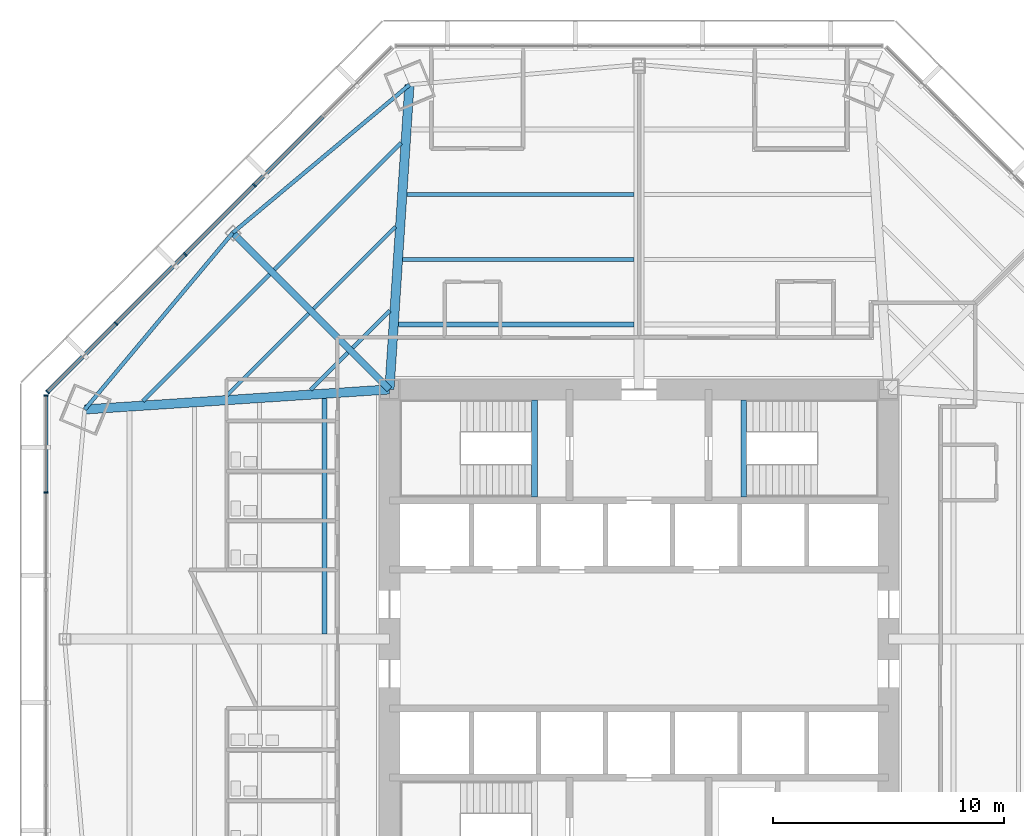
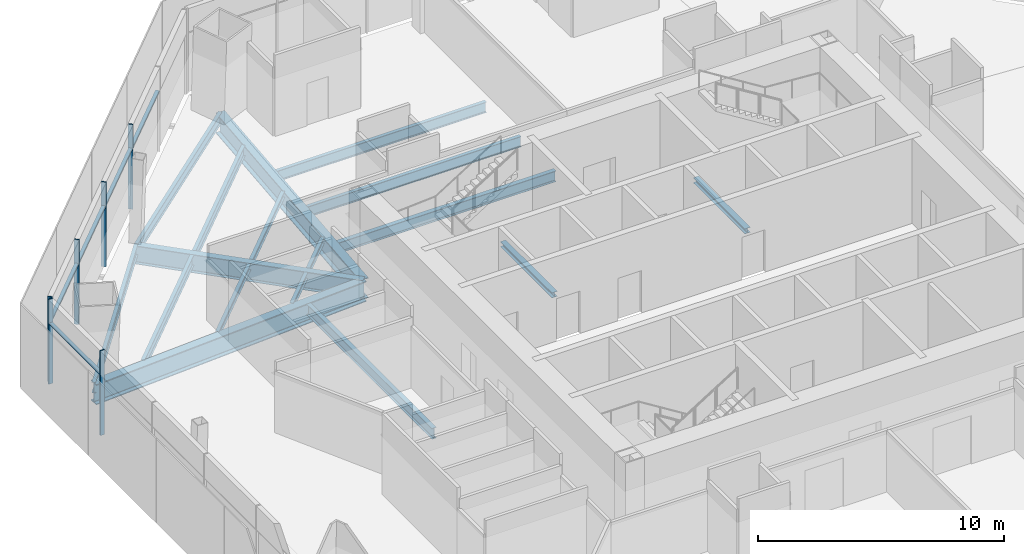
# One storey, part 6 of 18: 17 beams, 11 members, 2 elements without a shape of their own.
"""IFC4 building model written with IfcOpenShell, lengths in metres."""

from ifc_helpers import new_model, si_unit, direction, frame, origin, origin_2d, place, context, subcontext, project, spatial, rectangle, i_section, extrude, source, transform, mapped, material, material_profile, profile_set, type_object, type_shapes, element, aggregate, save


model = new_model("IFC4")

# Units and contexts
model_context = context("Model", 3, precision=1e-05, world=origin(), true_north=direction((0.0, 1.0)))
body_context = subcontext(model_context, "Body", "Model", "MODEL_VIEW")
ifc_project = project(units=[si_unit("LENGTHUNIT", "METRE"), si_unit("AREAUNIT", "SQUARE_METRE"), si_unit("VOLUMEUNIT", "CUBIC_METRE"), si_unit("PLANEANGLEUNIT", "RADIAN"), si_unit("MASSUNIT", "GRAM", prefix="KILO")], contexts=[model_context])

# Site, building, storey
site_placement = place(None, origin())
site = spatial("IfcSite", under=ifc_project, at=site_placement, CompositionType="ELEMENT")
building_placement = place(site_placement, origin())
building = spatial("IfcBuilding", under=site, at=building_placement, Name="Mashrafa Tower", CompositionType="ELEMENT")
storey_placement = place(building_placement, frame((0.0, 0.0, 83.39990234375)))
storey = spatial("IfcBuildingStorey", under=building, at=storey_placement, Name="L18", CompositionType="ELEMENT", Elevation=83.39990234375)

# Beams
ifc_material_1 = material(Name="Steel ASTM A992", Category="steel")
ifc_material_profile_1 = material_profile(ifc_material_1, i_section(OverallWidth=0.164794921875, OverallDepth=0.309814453125, WebThickness=0.005859375, FlangeThickness=0.009765625, FilletRadius=0.007568359375, at=origin_2d()), Name="W12X26")
ifc_profile_set_1 = profile_set([ifc_material_profile_1], Name="Steel ASTM A992")
beam_type_1 = type_object("IfcBeamType", Name="Beam W12X26", PredefinedType="BEAM", material=ifc_profile_set_1)
beam_1_placement = place(storey_placement, frame((-17.840576171875, 10.538330078125, -0.31982421875), z_axis=(0.707131141079, 0.707082420455, 0.0), x_axis=(-0.707082420455, 0.707131141079, 0.0)))
element("IfcBeam", 1, at=beam_1_placement, inside=storey, type_object=beam_type_1, Name="Floor beam L18 006", PredefinedType="BEAM", context=body_context, shape_type="SweptSolid", body=[
    extrude(i_section(OverallWidth=0.164794921875, OverallDepth=0.309814453125, WebThickness=0.005859375, FlangeThickness=0.009765625, FilletRadius=0.007568359375, at=origin_2d()), origin(), (0.0, 0.0, 1.0), 5.010986328125),
])
beam_2_placement = place(storey_placement, frame((-14.212646484375, 10.77685546875, -0.31982421875), z_axis=(0.707106781187, 0.707106781187, 0.0), x_axis=(-0.707106781187, 0.707106781187, 0.0)))
element("IfcBeam", 2, at=beam_2_placement, inside=storey, type_object=beam_type_1, Name="Floor beam L18 011", PredefinedType="BEAM", context=body_context, shape_type="SweptSolid", body=[
    extrude(i_section(OverallWidth=0.164794921875, OverallDepth=0.309814453125, WebThickness=0.005859375, FlangeThickness=0.009765625, FilletRadius=0.007568359375, at=origin_2d()), origin(), (0.0, 0.0, 1.0), 2.277099609375),
])
beam_3_placement = place(storey_placement, frame((-14.08154296875, 14.297119140625, -0.31982421875), z_axis=(0.707082420455, 0.707131141079, 0.0), x_axis=(-0.707131141079, 0.707082420455, 0.0)))
element("IfcBeam", 3, at=beam_3_placement, inside=storey, type_object=beam_type_1, Name="Floor beam L18 013", PredefinedType="BEAM", context=body_context, shape_type="SweptSolid", body=[
    extrude(i_section(OverallWidth=0.164794921875, OverallDepth=0.309814453125, WebThickness=0.005859375, FlangeThickness=0.009765625, FilletRadius=0.007568359375, at=origin_2d()), origin(), (0.0, 0.0, 1.0), 5.010986328125),
])
beam_4_placement = place(storey_placement, frame((-12.386962890625, 12.6025390625, -0.31982421875), z_axis=(0.707106781187, 0.707106781187, 0.0), x_axis=(-0.707106781187, 0.707106781187, 0.0)))
element("IfcBeam", 4, at=beam_4_placement, inside=storey, type_object=beam_type_1, Name="Floor beam L18 017", PredefinedType="BEAM", context=body_context, shape_type="SweptSolid", body=[
    extrude(i_section(OverallWidth=0.164794921875, OverallDepth=0.309814453125, WebThickness=0.005859375, FlangeThickness=0.009765625, FilletRadius=0.007568359375, at=origin_2d()), origin(), (0.0, 0.0, 1.0), 2.277099609375),
])
ifc_material_2 = material(Name="Steel ASTM A992", Category="steel")
ifc_material_profile_2 = material_profile(ifc_material_2, i_section(OverallWidth=0.165771484375, OverallDepth=0.5283203125, WebThickness=0.009765625, FlangeThickness=0.013671875, FilletRadius=0.012939453125, at=origin_2d()), Name="W21X50")
ifc_profile_set_2 = profile_set([ifc_material_profile_2], Name="Steel ASTM A992")
beam_type_2 = type_object("IfcBeamType", Name="Beam W21X50", PredefinedType="BEAM", material=ifc_profile_set_2)
for number, where, z_axis, x_axis, name in (
    (5, (-21.46826171875, 10.2998046875, -0.428955078125), (0.707091019542, 0.70712254248, 0.0), (-0.70712254248, 0.707091019542, 0.0), "Floor beam L18 003"),
    (6, (-15.7763671875, 15.991943359375, -0.428955078125), (0.70712254248, 0.707091019542, 0.0), (-0.707091019542, 0.70712254248, 0.0), "Floor beam L18 010"),
):
    element("IfcBeam", number, at=place(storey_placement, frame(where, z_axis=z_axis, x_axis=x_axis)), inside=storey, type_object=beam_type_2, Name=name, PredefinedType="BEAM", context=body_context, shape_type="SweptSolid", body=[
        extrude(i_section(OverallWidth=0.165771484375, OverallDepth=0.5283203125, WebThickness=0.009765625, FlangeThickness=0.013671875, FilletRadius=0.012939453125, at=origin_2d()), origin(), (0.0, 0.0, 1.0), 7.744873046875),
    ])
beam_5_placement = place(storey_placement, frame((-10.229248046875, 16.424072265625, -0.428955078125), z_axis=(1.0, 0.0, 0.0), x_axis=(0.0, 1.0, 0.0)))
element("IfcBeam", 7, at=beam_5_placement, inside=storey, type_object=beam_type_2, Name="Floor beam L18 020", PredefinedType="BEAM", context=body_context, shape_type="SweptSolid", body=[
    extrude(i_section(OverallWidth=0.165771484375, OverallDepth=0.5283203125, WebThickness=0.009765625, FlangeThickness=0.013671875, FilletRadius=0.012939453125, at=origin_2d()), origin(), (0.0, 0.0, 1.0), 10.01708984375),
])
beam_6_placement = place(storey_placement, frame((-10.04443359375, 19.236083984375, -0.428955078125), z_axis=(1.0, 0.0, 0.0), x_axis=(0.0, 1.0, 0.0)))
element("IfcBeam", 8, at=beam_6_placement, inside=storey, type_object=beam_type_2, Name="Floor beam L18 022", PredefinedType="BEAM", context=body_context, shape_type="SweptSolid", body=[
    extrude(i_section(OverallWidth=0.165771484375, OverallDepth=0.5283203125, WebThickness=0.009765625, FlangeThickness=0.013671875, FilletRadius=0.012939453125, at=origin_2d()), origin(), (0.0, 0.0, 1.0), 9.832275390625),
])
for number, where, z_axis, x_axis, name in (
    (9, (-17.578857421875, 17.578857421875, -0.428955078125), (-0.642077564367, -0.766639681556, 0.0), (0.766639681556, -0.642077564367, 0.0), "Spandrel beam L18 077"),
    (10, (-9.93359375, 23.98193359375, -0.428955078125), (-0.766639681556, -0.642077564367, 0.0), (0.642077564367, -0.766639681556, 0.0), "Spandrel beam L18 079"),
):
    element("IfcBeam", number, at=place(storey_placement, frame(where, z_axis=z_axis, x_axis=x_axis)), inside=storey, type_object=beam_type_2, Name=name, PredefinedType="BEAM", context=body_context, shape_type="SweptSolid", body=[
        extrude(i_section(OverallWidth=0.165771484375, OverallDepth=0.5283203125, WebThickness=0.009765625, FlangeThickness=0.013671875, FilletRadius=0.012939453125, at=origin_2d()), origin(), (0.0, 0.0, 1.0), 9.972412109375),
    ])
ifc_material_3 = material(Name="Steel ASTM A992", Category="steel")
ifc_material_profile_3 = material_profile(ifc_material_3, i_section(OverallWidth=0.209228515625, OverallDepth=0.533447265625, WebThickness=0.01025390625, FlangeThickness=0.015625, FilletRadius=0.012939453125, at=origin_2d()), Name="W21X62")
ifc_profile_set_3 = profile_set([ifc_material_profile_3], Name="Steel ASTM A992")
beam_type_3 = type_object("IfcBeamType", Name="Beam W21X62", PredefinedType="BEAM", material=ifc_profile_set_3)
for number, where, z_axis, x_axis, name in (
    (11, (-13.612060546875, 0.212158203125, -0.431640625), (0.0, 1.0, 0.0), (-1.0, 0.0, 0.0), "Floor beam L18 015"),
    (12, (-10.4140625, 13.612060546875, -0.431640625), (1.0, 0.0, 0.0), (0.0, 1.0, 0.0), "Floor beam L18 018"),
):
    element("IfcBeam", number, at=place(storey_placement, frame(where, z_axis=z_axis, x_axis=x_axis)), inside=storey, type_object=beam_type_3, Name=name, PredefinedType="BEAM", context=body_context, shape_type="SweptSolid", body=[
        extrude(i_section(OverallWidth=0.209228515625, OverallDepth=0.533447265625, WebThickness=0.01025390625, FlangeThickness=0.015625, FilletRadius=0.012939453125, at=origin_2d()), origin(), (0.0, 0.0, 1.0), 10.201904296875),
    ])
ifc_material_4 = material(Name="Steel ASTM A992", Category="steel")
ifc_material_profile_4 = material_profile(ifc_material_4, i_section(OverallWidth=0.3046875, OverallDepth=0.911865234375, WebThickness=0.015869140625, FlangeThickness=0.02392578125, FilletRadius=0.01904296875, at=origin_2d()), Name="W36X150")
ifc_profile_set_4 = profile_set([ifc_material_profile_4], Name="Steel ASTM A992")
beam_type_4 = type_object("IfcBeamType", Name="Beam W36X150", PredefinedType="BEAM", material=ifc_profile_set_4)
beam_7_placement = place(storey_placement, frame((-10.800048828125, 10.800048828125, -0.620849609375), z_axis=(-0.707106781187, 0.707106781187, 0.0), x_axis=(-0.707106781187, -0.707106781187, 0.0)))
element("IfcBeam", 13, at=beam_7_placement, inside=storey, type_object=beam_type_4, Name="Radial girder L18 062", PredefinedType="BEAM", context=body_context, shape_type="SweptSolid", body=[
    extrude(i_section(OverallWidth=0.3046875, OverallDepth=0.911865234375, WebThickness=0.015869140625, FlangeThickness=0.02392578125, FilletRadius=0.01904296875, at=origin_2d()), origin(), (0.0, 0.0, 1.0), 9.586669921875),
])
ifc_material_5 = material(Name="Steel ASTM A992", Category="steel")
ifc_material_profile_5 = material_profile(ifc_material_5, i_section(OverallWidth=0.4013671875, OverallDepth=1.010986328125, WebThickness=0.023681640625, FlangeThickness=0.0419921875, FilletRadius=0.02001953125, at=origin_2d()), Name="W40X297")
ifc_profile_set_5 = profile_set([ifc_material_profile_5], Name="Steel ASTM A992")
beam_type_5 = type_object("IfcBeamType", Name="Beam W40X297", PredefinedType="BEAM", material=ifc_profile_set_5)
for number, where, z_axis, x_axis, name in (
    (14, (-10.800048828125, 10.800048828125, -0.67041015625), (-0.997846709731, -0.065589205505, 0.0), (0.065589205505, -0.997846709731, 0.0), "Radial girder L18 061"),
    (15, (-10.800048828125, 10.800048828125, -0.67041015625), (0.065589205505, 0.997846709731, 0.0), (-0.997846709731, 0.065589205505, 0.0), "Radial girder L18 063"),
):
    element("IfcBeam", number, at=place(storey_placement, frame(where, z_axis=z_axis, x_axis=x_axis)), inside=storey, type_object=beam_type_5, Name=name, PredefinedType="BEAM", context=body_context, shape_type="SweptSolid", body=[
        extrude(i_section(OverallWidth=0.4013671875, OverallDepth=1.010986328125, WebThickness=0.023681640625, FlangeThickness=0.0419921875, FilletRadius=0.02001953125, at=origin_2d()), origin(), (0.0, 0.0, 1.0), 13.21044921875),
    ])
ifc_material_6 = material(Name="Steel ASTM A992", Category="steel")
ifc_material_profile_6 = material_profile(ifc_material_6, i_section(OverallWidth=0.25390625, OverallDepth=0.25390625, WebThickness=0.008544921875, FlangeThickness=0.01416015625, FilletRadius=0.010009765625, at=origin_2d()), Name="W10X49")
ifc_profile_set_6 = profile_set([ifc_material_profile_6], Name="Steel ASTM A992")
beam_type_6 = type_object("IfcBeamType", Name="Hoistway beam W10X49", PredefinedType="BEAM", material=ifc_profile_set_6)
for number, where, z_axis, x_axis, name in (
    (16, (-4.530029296875, 6.14990234375, -0.326904296875), (0.0, 1.0, 0.0), (-1.0, 0.0, 0.0), "Stair S1 landing beam L18"),
    (17, (4.530029296875, 6.14990234375, -0.326904296875), (0.0, 1.0, 0.0), (-1.0, 0.0, 0.0), "Stair S2 landing beam L18"),
):
    element("IfcBeam", number, at=place(storey_placement, frame(where, z_axis=z_axis, x_axis=x_axis)), inside=storey, type_object=beam_type_6, Name=name, PredefinedType="BEAM", context=body_context, shape_type="SweptSolid", body=[
        extrude(i_section(OverallWidth=0.25390625, OverallDepth=0.25390625, WebThickness=0.008544921875, FlangeThickness=0.01416015625, FilletRadius=0.010009765625, at=origin_2d()), origin(), (0.0, 0.0, 1.0), 4.2001953125),
    ])

# Curtain wall, members
ifc_material_7 = material(Name="Unitised aluminium curtain wall", Category="aluminium")
curtain_wall_type = type_object("IfcCurtainWallType", Name="Office curtain wall, zone 1 CW-A 200 deep", PredefinedType="NOTDEFINED", material=ifc_material_7)
curtain_wall_1_placement = place(storey_placement, origin())
curtain_wall_1 = element("IfcCurtainWall", 18, at=curtain_wall_1_placement, inside=storey, type_object=curtain_wall_type, Name="Office curtain wall, zone 1 L18 north-west", PredefinedType="NOTDEFINED")
ifc_material_8 = material(Name="Extruded aluminium mullion", Category="aluminium")
ifc_material_profile_7 = material_profile(ifc_material_8, rectangle(XDim=0.199951171875, YDim=0.06494140625, at=origin_2d()), Name="Mullion 65x200")
ifc_profile_set_7 = profile_set([ifc_material_profile_7], Name="Extruded aluminium mullion")
member_type_1 = type_object("IfcMemberType", Name="Mullion CW-A 65 x 200", PredefinedType="MULLION", material=ifc_profile_set_7)
shared_shape_1 = source(origin(), body_context, "Body", "SweptSolid", [
    extrude(rectangle(XDim=0.199951171875, YDim=0.06494140625, at=origin_2d()), origin(), (0.0, 0.0, 1.0), 4.2001953125),
])
type_shapes(member_type_1, [shared_shape_1])
member_1_placement = place(storey_placement, frame((-16.6455078125, 19.63671875, 0.0), z_axis=(0.0, 0.0, 1.0), x_axis=(0.707106781187, -0.707106781187, 0.0)))
member_1 = element("IfcMember", 19, at=member_1_placement, type_object=member_type_1, Name="CW-A mullion 3", PredefinedType="MULLION", context=body_context, shape_type="MappedRepresentation", body=[
    mapped(shared_shape_1, transform((0.0, 0.0, 0.0))),
])
member_2_placement = place(storey_placement, frame((-19.63671875, 16.6455078125, 0.0), z_axis=(0.0, 0.0, 1.0), x_axis=(0.707106781187, -0.707106781187, 0.0)))
member_2 = element("IfcMember", 20, at=member_2_placement, type_object=member_type_1, Name="CW-A mullion 4", PredefinedType="MULLION", context=body_context, shape_type="MappedRepresentation", body=[
    mapped(shared_shape_1, transform((0.0, 0.0, 0.0))),
])
member_3_placement = place(storey_placement, frame((-22.6279296875, 13.654296875, 0.0), z_axis=(0.0, 0.0, 1.0), x_axis=(0.707106781187, -0.707106781187, 0.0)))
member_3 = element("IfcMember", 21, at=member_3_placement, type_object=member_type_1, Name="CW-A mullion 5", PredefinedType="MULLION", context=body_context, shape_type="MappedRepresentation", body=[
    mapped(shared_shape_1, transform((0.0, 0.0, 0.0))),
])
member_4_placement = place(storey_placement, frame((-25.59619140625, 10.686279296875, 0.0), z_axis=(0.0, 0.0, 1.0), x_axis=(0.707106781187, -0.707106781187, 0.0)))
member_4 = element("IfcMember", 22, at=member_4_placement, type_object=member_type_1, Name="CW-A mullion 6", PredefinedType="MULLION", context=body_context, shape_type="MappedRepresentation", body=[
    mapped(shared_shape_1, transform((0.0, 0.0, 0.0))),
])

curtain_wall_2_placement = place(storey_placement, origin())
curtain_wall_2 = element("IfcCurtainWall", 23, at=curtain_wall_2_placement, inside=storey, type_object=curtain_wall_type, Name="Office curtain wall, zone 1 L18 west", PredefinedType="NOTDEFINED")
member_5_placement = place(storey_placement, frame((-25.655517578125, 10.54296875, 0.0), z_axis=(0.0, 0.0, 1.0), x_axis=(1.0, 0.0, 0.0)))
member_5 = element("IfcMember", 24, at=member_5_placement, type_object=member_type_1, Name="CW-A mullion 1", PredefinedType="MULLION", context=body_context, shape_type="MappedRepresentation", body=[
    mapped(shared_shape_1, transform((0.0, 0.0, 0.0))),
])
member_6_placement = place(storey_placement, frame((-25.655517578125, 6.34521484375, 0.0), z_axis=(0.0, 0.0, 1.0), x_axis=(1.0, 0.0, 0.0)))
member_6 = element("IfcMember", 25, at=member_6_placement, type_object=member_type_1, Name="CW-A mullion 2", PredefinedType="MULLION", context=body_context, shape_type="MappedRepresentation", body=[
    mapped(shared_shape_1, transform((0.0, 0.0, 0.0))),
])
ifc_material_9 = material(Name="Extruded aluminium transom", Category="aluminium")
ifc_material_profile_8 = material_profile(ifc_material_9, rectangle(XDim=0.159912109375, YDim=0.080078125, at=origin_2d()), Name="Transom 80x160")
ifc_profile_set_8 = profile_set([ifc_material_profile_8], Name="Extruded aluminium transom")
member_type_2 = type_object("IfcMemberType", Name="Transom CW-A 80 x 160", PredefinedType="MULLION", material=ifc_profile_set_8)
shared_shape_2 = source(origin(), body_context, "Body", "SweptSolid", [
    extrude(rectangle(XDim=0.159912109375, YDim=0.080078125, at=origin_2d()), origin(), (0.0, 0.0, 1.0), 4.1328125),
])
member_7_placement = place(storey_placement, frame((-25.655517578125, 10.510498046875, 3.0), z_axis=(0.0, -1.0, 0.0), x_axis=(1.0, 0.0, 0.0)))
member_7 = element("IfcMember", 26, at=member_7_placement, type_object=member_type_2, Name="CW-A transom 1", PredefinedType="MULLION", context=body_context, shape_type="MappedRepresentation", body=[
    mapped(shared_shape_2, transform((0.0, 0.0, 0.0))),
])
aggregate(curtain_wall_2, [member_5, member_6, member_7])

# Member
shared_shape_3 = source(origin(), body_context, "Body", "SweptSolid", [
    extrude(rectangle(XDim=0.159912109375, YDim=0.080078125, at=origin_2d()), origin(), (0.0, 0.0, 1.0), 4.165283203125),
])
member_8_placement = place(storey_placement, frame((-13.67724609375, 22.60498046875, 3.0), z_axis=(-0.707106781187, -0.707106781187, 0.0), x_axis=(0.707106781187, -0.707106781187, 0.0)))
member_8 = element("IfcMember", 27, at=member_8_placement, type_object=member_type_2, Name="CW-A transom 2", PredefinedType="MULLION", context=body_context, shape_type="MappedRepresentation", body=[
    mapped(shared_shape_3, transform((0.0, 0.0, 0.0))),
])

member_9_placement = place(storey_placement, frame((-16.66845703125, 19.61376953125, 3.0), z_axis=(-0.707106781187, -0.707106781187, 0.0), x_axis=(0.707106781187, -0.707106781187, 0.0)))
member_9 = element("IfcMember", 28, at=member_9_placement, type_object=member_type_2, Name="CW-A transom 3", PredefinedType="MULLION", context=body_context, shape_type="MappedRepresentation", body=[
    mapped(shared_shape_3, transform((0.0, 0.0, 0.0))),
])

member_10_placement = place(storey_placement, frame((-19.65966796875, 16.62255859375, 3.0), z_axis=(-0.707106781187, -0.707106781187, 0.0), x_axis=(0.707106781187, -0.707106781187, 0.0)))
member_10 = element("IfcMember", 29, at=member_10_placement, type_object=member_type_2, Name="CW-A transom 4", PredefinedType="MULLION", context=body_context, shape_type="MappedRepresentation", body=[
    mapped(shared_shape_3, transform((0.0, 0.0, 0.0))),
])

shared_shape_4 = source(origin(), body_context, "Body", "SweptSolid", [
    extrude(rectangle(XDim=0.159912109375, YDim=0.080078125, at=origin_2d()), origin(), (0.0, 0.0, 1.0), 4.132568359375),
])
type_shapes(member_type_2, [shared_shape_2, shared_shape_3, shared_shape_4])
member_11_placement = place(storey_placement, frame((-22.65087890625, 13.63134765625, 3.0), z_axis=(-0.707136318428, -0.707077242712, 0.0), x_axis=(0.707077242712, -0.707136318428, 0.0)))
member_11 = element("IfcMember", 30, at=member_11_placement, type_object=member_type_2, Name="CW-A transom 5", PredefinedType="MULLION", context=body_context, shape_type="MappedRepresentation", body=[
    mapped(shared_shape_4, transform((0.0, 0.0, 0.0))),
])

aggregate(curtain_wall_1, [member_1, member_2, member_3, member_4, member_8, member_9, member_10, member_11])

save(model, "model.ifc")
